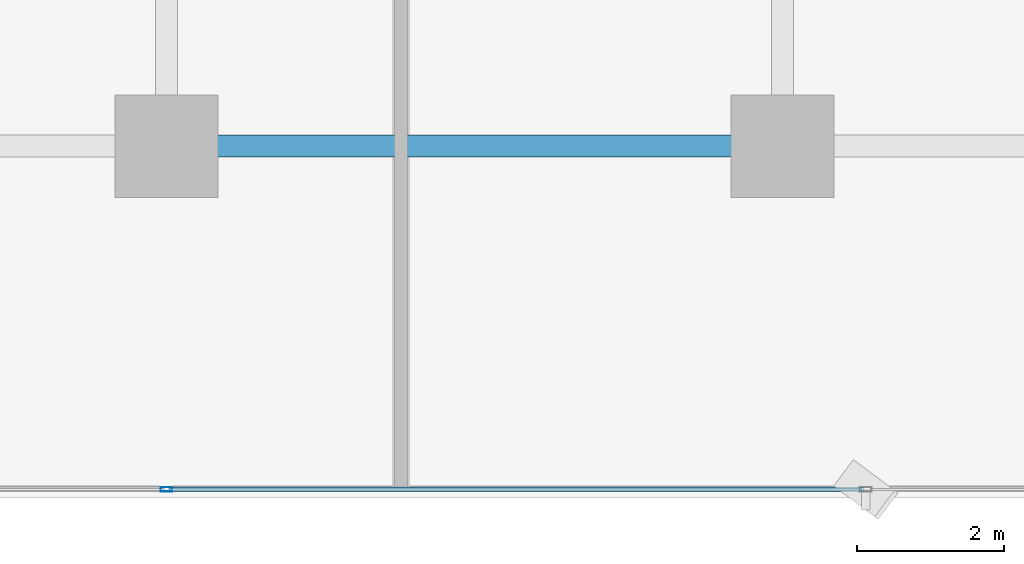
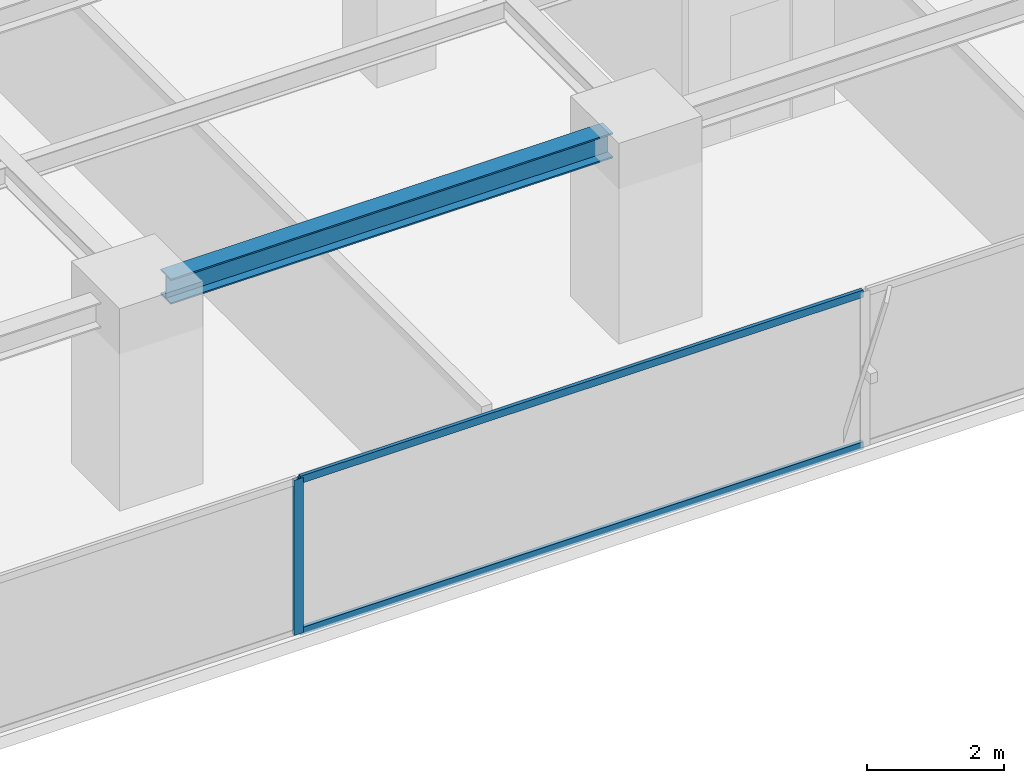
# One storey, part 5 of 28: 3 members, 1 beam, 1 element without a shape of its own.
"""IFC4 building model written with IfcOpenShell, lengths in metres."""

import ifcopenshell
import ifcopenshell.guid

model = None  # the IFC model being written
_history = None  # IfcOwnerHistory: only IFC2X3 demands one
_inside = {}  # id of a spatial element -> (the spatial element, [elements in it])
_under = {}  # id of a project, library or spatial element -> (it, [spatial elements below it])
_declared = {}  # id of a project -> (the project, [libraries it declares])
_typed = {}  # id of a type object -> (the type object, [elements of that type])
_made_of = {}  # id of a material, layer set ... -> (it, [elements and type objects made of it])


def new_model(schema):
    """Start an empty IFC model of exactly this schema.

    Asked for "IFC4X3", IfcOpenShell would pick the latest addendum, in which some entities
    have other attributes; the version numbers below select the first issue.
    IFC2X3 requires an IfcOwnerHistory on every rooted entity: one is made here for all.
    """
    global model, _history
    if schema == "IFC4X3":
        model = ifcopenshell.file(schema_version=(4, 3, 0, 0))
    else:
        model = ifcopenshell.file(schema=schema)
    _inside.clear()
    _under.clear()
    _declared.clear()
    _typed.clear()
    _made_of.clear()
    _history = None
    if model.schema == "IFC2X3":
        org = make("IfcOrganization", Name="unknown")
        user = make(
            "IfcPersonAndOrganization",
            ThePerson=make("IfcPerson", FamilyName="unknown"),
            TheOrganization=org,
        )
        app = make(
            "IfcApplication",
            ApplicationDeveloper=org,
            Version="unknown",
            ApplicationFullName="unknown",
            ApplicationIdentifier="unknown",
        )
        _history = make(
            "IfcOwnerHistory",
            OwningUser=user,
            OwningApplication=app,
            ChangeAction="ADDED",
            CreationDate=0,
        )
    return model


def make(cls, **values):
    """One entity of the class cls with the attributes given. An attribute that is None is left unset."""
    return model.create_entity(
        cls, **{name: value for name, value in values.items() if value is not None}
    )


def rooted(cls, **values):
    """An entity with a GlobalId (a new one), such as an element, a storey or a relation."""
    return make(cls, GlobalId=ifcopenshell.guid.new(), OwnerHistory=_history, **values)


def si_unit(unit_type, name, prefix=None):
    """IfcSIUnit, for example si_unit("LENGTHUNIT", "METRE", prefix="MILLI")."""
    return make("IfcSIUnit", UnitType=unit_type, Prefix=prefix, Name=name)


def assignment(units):
    """IfcUnitAssignment: the units of a project."""
    return None if units is None else make("IfcUnitAssignment", Units=units)


def point(xyz):
    """IfcCartesianPoint."""
    return None if xyz is None else make("IfcCartesianPoint", Coordinates=xyz)


def direction(xyz):
    """IfcDirection."""
    return None if xyz is None else make("IfcDirection", DirectionRatios=xyz)


def frame(location, z_axis=None, x_axis=None):
    """IfcAxis2Placement3D, a coordinate frame: its origin and axes. An axis left out is left unset."""
    return make(
        "IfcAxis2Placement3D",
        Location=point(location),
        Axis=direction(z_axis),
        RefDirection=direction(x_axis),
    )


def frame_2d(location, x_axis=None):
    """IfcAxis2Placement2D, a coordinate frame in the plane: its origin and x axis."""
    return make(
        "IfcAxis2Placement2D", Location=point(location), RefDirection=direction(x_axis)
    )


def origin():
    """The frame at (0, 0, 0) with its axes left unset."""
    return frame((0.0, 0.0, 0.0))


def origin_2d():
    """The frame at (0, 0) in the plane with its x axis left unset."""
    return frame_2d((0.0, 0.0))


def place(relative_to, where):
    """IfcLocalPlacement: puts the frame where relative to a parent placement (None: the world)."""
    return make(
        "IfcLocalPlacement", PlacementRelTo=relative_to, RelativePlacement=where
    )


def context(
    kind, dimensions, precision=None, world=None, true_north=None, identifier=None
):
    """IfcGeometricRepresentationContext, for example the 3D "Model" context."""
    return make(
        "IfcGeometricRepresentationContext",
        ContextIdentifier=identifier,
        ContextType=kind,
        CoordinateSpaceDimension=dimensions,
        Precision=precision,
        WorldCoordinateSystem=world,
        TrueNorth=true_north,
    )


def subcontext(parent, identifier, kind, view, scale=None):
    """IfcGeometricRepresentationSubContext, for example "Body" below "Model"."""
    return make(
        "IfcGeometricRepresentationSubContext",
        ContextIdentifier=identifier,
        ContextType=kind,
        ParentContext=parent,
        TargetScale=scale,
        TargetView=view,
    )


def project(units=None, contexts=None):
    """IfcProject with its units and contexts."""
    return rooted(
        "IfcProject",
        Name="project",
        RepresentationContexts=contexts,
        UnitsInContext=assignment(units),
    )


def spatial(cls, under=None, at=None, **own):
    """A site, building, storey or space (cls), placed at a placement, below another one or the project."""
    s = rooted(cls, ObjectPlacement=at, **own)
    if under is not None:
        _under.setdefault(under.id(), (under, []))[1].append(s)
    return s


def profile(cls, at=None, kind="AREA", **sizes):
    """A parametric profile (cls). Its sizes go by their IFC names, for example OverallWidth=200.0."""
    return make(cls, ProfileType=kind, Position=at, **sizes)


def hollow_rectangle(**sizes):
    """IfcRectangleHollowProfileDef."""
    return profile("IfcRectangleHollowProfileDef", **sizes)


def i_section(**sizes):
    """IfcIShapeProfileDef."""
    return profile("IfcIShapeProfileDef", **sizes)


def extrude(swept, where, along, depth):
    """IfcExtrudedAreaSolid: the profile swept, set in the frame where, extruded along a direction by depth."""
    return make(
        "IfcExtrudedAreaSolid",
        SweptArea=swept,
        Position=where,
        ExtrudedDirection=direction(along),
        Depth=depth,
    )


def shape(context_of_items, identifier, shape_type, items):
    """IfcShapeRepresentation: the items that make up one representation, for example the "Body"."""
    return make(
        "IfcShapeRepresentation",
        ContextOfItems=context_of_items,
        RepresentationIdentifier=identifier,
        RepresentationType=shape_type,
        Items=items,
    )


def source(mapping_origin, context_of_items, identifier, shape_type, items):
    """IfcRepresentationMap: a shape defined once, which mapped items show again and again."""
    return make(
        "IfcRepresentationMap",
        MappingOrigin=mapping_origin,
        MappedRepresentation=shape(context_of_items, identifier, shape_type, items),
    )


def transform(
    local_origin,
    x_axis=None,
    y_axis=None,
    z_axis=None,
    scale=None,
    scale2=None,
    scale3=None,
    uniform=True,
):
    """IfcCartesianTransformationOperator3D, or its non-uniform kind. x_axis, y_axis, z_axis: its Axis1, 2, 3."""
    if uniform:
        return make(
            "IfcCartesianTransformationOperator3D",
            Axis1=direction(x_axis),
            Axis2=direction(y_axis),
            LocalOrigin=point(local_origin),
            Scale=scale,
            Axis3=direction(z_axis),
        )
    return make(
        "IfcCartesianTransformationOperator3DnonUniform",
        Axis1=direction(x_axis),
        Axis2=direction(y_axis),
        LocalOrigin=point(local_origin),
        Scale=scale,
        Axis3=direction(z_axis),
        Scale2=scale2,
        Scale3=scale3,
    )


def mapped(mapping_source, mapping_target):
    """IfcMappedItem: shows the shape of a source again, moved by a transform."""
    return make(
        "IfcMappedItem", MappingSource=mapping_source, MappingTarget=mapping_target
    )


def material(Name=None, Category=None):
    """IfcMaterial."""
    return make("IfcMaterial", Name=Name, Category=Category)


def layer(
    of_material, thickness, ventilated=None, Name=None, Category=None, Priority=None
):
    """IfcMaterialLayer: one layer of a wall or slab, of a material (None: an air gap)."""
    return make(
        "IfcMaterialLayer",
        Material=of_material,
        LayerThickness=thickness,
        IsVentilated=ventilated,
        Name=Name,
        Category=Category,
        Priority=Priority,
    )


def layer_set(layers, Name=None):
    """IfcMaterialLayerSet."""
    return make("IfcMaterialLayerSet", MaterialLayers=layers, LayerSetName=Name)


def material_profile(
    of_material, cross_section, Name=None, Category=None, Priority=None
):
    """IfcMaterialProfile: a cross section and its material."""
    return make(
        "IfcMaterialProfile",
        Name=Name,
        Material=of_material,
        Profile=cross_section,
        Priority=Priority,
        Category=Category,
    )


def profile_set(profiles, Name=None, composite=None):
    """IfcMaterialProfileSet."""
    return make(
        "IfcMaterialProfileSet",
        Name=Name,
        MaterialProfiles=profiles,
        CompositeProfile=composite,
    )


def made_of(thing, what):
    """Note that an element or type object is made of a material, layer set ...; save() writes the relation."""
    if what is not None:
        _made_of.setdefault(what.id(), (what, []))[1].append(thing)
    return thing


def type_object(cls, material=None, **own):
    """A type object (cls), such as IfcWallType, which elements share."""
    return made_of(rooted(cls, **own), material)


def element(
    cls,
    number,
    at=None,
    inside=None,
    cuts=None,
    type_object=None,
    material=None,
    context=None,
    identifier="Body",
    shape_type=None,
    held_by="IfcProductDefinitionShape",
    body=None,
    shapes=None,
    **own,
):
    """One element of the class cls, such as IfcWall. Its Tag is "e" and its number.

    at: its placement. inside: the storey or other place that contains it. cuts: it is an
    opening in that element (IfcRelVoidsElement). A single representation is given by context,
    identifier, shape_type and body (its items); several are given by shapes. held_by: the class
    of the entity that holds the representations. save() writes the other relations.
    """
    e = rooted(cls, Tag="e%d" % number, ObjectPlacement=at, **own)
    if body is not None:
        shapes = [shape(context, identifier, shape_type, body)]
    if shapes is not None:
        e.Representation = make(held_by, Representations=shapes)
    if inside is not None:
        _inside.setdefault(inside.id(), (inside, []))[1].append(e)
    if cuts is not None:
        rooted(
            "IfcRelVoidsElement", RelatingBuildingElement=cuts, RelatedOpeningElement=e
        )
    if type_object is not None:
        _typed.setdefault(type_object.id(), (type_object, []))[1].append(e)
    return made_of(e, material)


def aggregate(whole, parts):
    """IfcRelAggregates: a whole, such as a stair, and the parts it consists of."""
    return rooted("IfcRelAggregates", RelatingObject=whole, RelatedObjects=parts)


def save(model, path):
    """Write the relations noted so far, then the file.

    IfcRelAggregates (storeys below a building ...), IfcRelContainedInSpatialStructure (elements
    in a storey), IfcRelDefinesByType, IfcRelAssociatesMaterial and IfcRelDeclares: one each for
    every whole, place, type object, material and project.
    """
    for whole, parts in _under.values():
        aggregate(whole, parts)
    for where, things in _inside.values():
        rooted(
            "IfcRelContainedInSpatialStructure",
            RelatedElements=things,
            RelatingStructure=where,
        )
    for kind, things in _typed.values():
        rooted("IfcRelDefinesByType", RelatedObjects=things, RelatingType=kind)
    for what, things in _made_of.values():
        rooted("IfcRelAssociatesMaterial", RelatedObjects=things, RelatingMaterial=what)
    for by, libraries in _declared.values():
        rooted("IfcRelDeclares", RelatingContext=by, RelatedDefinitions=libraries)
    model.write(path)


model = new_model("IFC4")

# Units and contexts
model_context = context("Model", 3, precision=1e-05, world=origin(), true_north=direction((0.0, 1.0)))
body_context = subcontext(model_context, "Body", "Model", "MODEL_VIEW")
ifc_project = project(units=[si_unit("LENGTHUNIT", "METRE"), si_unit("AREAUNIT", "SQUARE_METRE"), si_unit("VOLUMEUNIT", "CUBIC_METRE"), si_unit("PLANEANGLEUNIT", "RADIAN"), si_unit("MASSUNIT", "GRAM", prefix="KILO")], contexts=[model_context])

# Site, building, storey
site_placement = place(None, origin())
site = spatial("IfcSite", under=ifc_project, at=site_placement, CompositionType="ELEMENT")
building_placement = place(site_placement, origin())
building = spatial("IfcBuilding", under=site, at=building_placement, Name="Sumidabori Civic Tower", CompositionType="ELEMENT")
storey_placement = place(building_placement, frame((0.0, 0.0, 167.60009765625)))
storey = spatial("IfcBuildingStorey", under=building, at=storey_placement, Name="L43", CompositionType="ELEMENT", Elevation=167.60009765625)

# Beam
ifc_material_1 = material(Name="Steel SN490", Category="steel")
ifc_material_profile_1 = material_profile(ifc_material_1, i_section(OverallWidth=0.300048828125, OverallDepth=0.449951171875, WebThickness=0.013916015625, FlangeThickness=0.02587890625, at=origin_2d()), Name="HE 450 B")
ifc_profile_set_1 = profile_set([ifc_material_profile_1], Name="Steel SN490")
beam_type = type_object("IfcBeamType", Name="BM-GIRD-450", PredefinedType="BEAM", material=ifc_profile_set_1)
shared_shape_1 = source(origin(), body_context, "Body", "SweptSolid", [
    extrude(i_section(OverallWidth=0.300048828125, OverallDepth=0.449951171875, WebThickness=0.013916015625, FlangeThickness=0.02587890625, at=origin_2d()), origin(), (0.0, 0.0, 1.0), 7.43994140625),
])
beam_placement = place(storey_placement, frame((0.47998046875, -18.0, 3.15478515625), z_axis=(1.0, 0.0, 0.0), x_axis=(0.0, 1.0, 0.0)))
element("IfcBeam", 1, at=beam_placement, inside=storey, type_object=beam_type, Name="Primary Girder L43 GX-03", PredefinedType="BEAM", context=body_context, shape_type="MappedRepresentation", body=[
    mapped(shared_shape_1, transform((0.0, 0.0, 0.0), x_axis=(1.0, 0.0, 0.0), y_axis=(0.0, 1.0, 0.0), z_axis=(0.0, 0.0, 1.0), scale=1.0)),
])

# Curtain wall, members
ifc_material_2 = material(Name="Anodised Bronze Aluminium AW-6063-T6", Category="aluminium")
ifc_layer = layer(ifc_material_2, 0.179931640625, Name="Anodised Bronze Aluminium AW-6063-T6")
ifc_layer_set = layer_set([ifc_layer], Name="Anodised Bronze Aluminium AW-6063-T6")
curtain_wall_type = type_object("IfcCurtainWallType", Name="CW-SYS-3", PredefinedType="NOTDEFINED", material=ifc_layer_set)
curtain_wall_placement = place(storey_placement, origin())
curtain_wall = element("IfcCurtainWall", 2, at=curtain_wall_placement, inside=storey, type_object=curtain_wall_type, Name="Curtain Wall CW:L43:R01", PredefinedType="NOTDEFINED")
ifc_material_profile_2 = material_profile(ifc_material_2, hollow_rectangle(XDim=0.06494140625, YDim=0.159912109375, WallThickness=0.0048828125, at=origin_2d()), Name="ALU MULLION 160x65")
ifc_profile_set_2 = profile_set([ifc_material_profile_2], Name="Anodised Bronze Aluminium AW-6063-T6")
member_type_1 = type_object("IfcMemberType", Name="CW-MUL-160", PredefinedType="MULLION", material=ifc_profile_set_2)
shared_shape_2 = source(origin(), body_context, "Body", "SweptSolid", [
    extrude(hollow_rectangle(XDim=0.06494140625, YDim=0.159912109375, WallThickness=0.0048828125, at=origin_2d()), origin(), (0.0, 0.0, 1.0), 2.760009765625),
])
member_1_placement = place(storey_placement, frame((0.0, -22.679931640625, 0.0), z_axis=(0.0, 0.0, 1.0), x_axis=(0.0, 1.0, 0.0)))
member_1 = element("IfcMember", 3, at=member_1_placement, type_object=member_type_1, Name="CW-3 mullion 3", PredefinedType="MULLION", context=body_context, shape_type="MappedRepresentation", body=[
    mapped(shared_shape_2, transform((0.0, 0.0, 0.0), x_axis=(1.0, 0.0, 0.0), y_axis=(0.0, 1.0, 0.0), z_axis=(0.0, 0.0, 1.0), scale=1.0)),
])
ifc_material_profile_3 = material_profile(ifc_material_2, hollow_rectangle(XDim=0.06005859375, YDim=0.1298828125, WallThickness=0.0048828125, at=origin_2d()), Name="ALU TRANSOM 130x60")
ifc_profile_set_3 = profile_set([ifc_material_profile_3], Name="Anodised Bronze Aluminium AW-6063-T6")
member_type_2 = type_object("IfcMemberType", Name="CW-TRN-130", PredefinedType="USERDEFINED", material=ifc_profile_set_3)
shared_shape_3 = source(origin(), body_context, "Body", "SweptSolid", [
    extrude(hollow_rectangle(XDim=0.06005859375, YDim=0.1298828125, WallThickness=0.0048828125, at=origin_2d()), origin(), (0.0, 0.0, 1.0), 9.469970703125),
])
member_2_placement = place(storey_placement, frame((0.032470703125, -22.679931640625, 0.02978515625), z_axis=(1.0, 0.0, 0.0), x_axis=(0.0, 1.0, 0.0)))
member_2 = element("IfcMember", 4, at=member_2_placement, type_object=member_type_2, Name="CW-3 transom 3.1", ObjectType="TRANSOM", PredefinedType="USERDEFINED", context=body_context, shape_type="MappedRepresentation", body=[
    mapped(shared_shape_3, transform((0.0, 0.0, 0.0), x_axis=(1.0, 0.0, 0.0), y_axis=(0.0, 1.0, 0.0), z_axis=(0.0, 0.0, 1.0), scale=1.0)),
])
member_3_placement = place(storey_placement, frame((0.032470703125, -22.679931640625, 2.72998046875), z_axis=(1.0, 0.0, 0.0), x_axis=(0.0, 1.0, 0.0)))
member_3 = element("IfcMember", 5, at=member_3_placement, type_object=member_type_2, Name="CW-3 transom 3.2", ObjectType="TRANSOM", PredefinedType="USERDEFINED", context=body_context, shape_type="MappedRepresentation", body=[
    mapped(shared_shape_3, transform((0.0, 0.0, 0.0), x_axis=(1.0, 0.0, 0.0), y_axis=(0.0, 1.0, 0.0), z_axis=(0.0, 0.0, 1.0), scale=1.0)),
])
aggregate(curtain_wall, [member_1, member_2, member_3])

save(model, "model.ifc")
